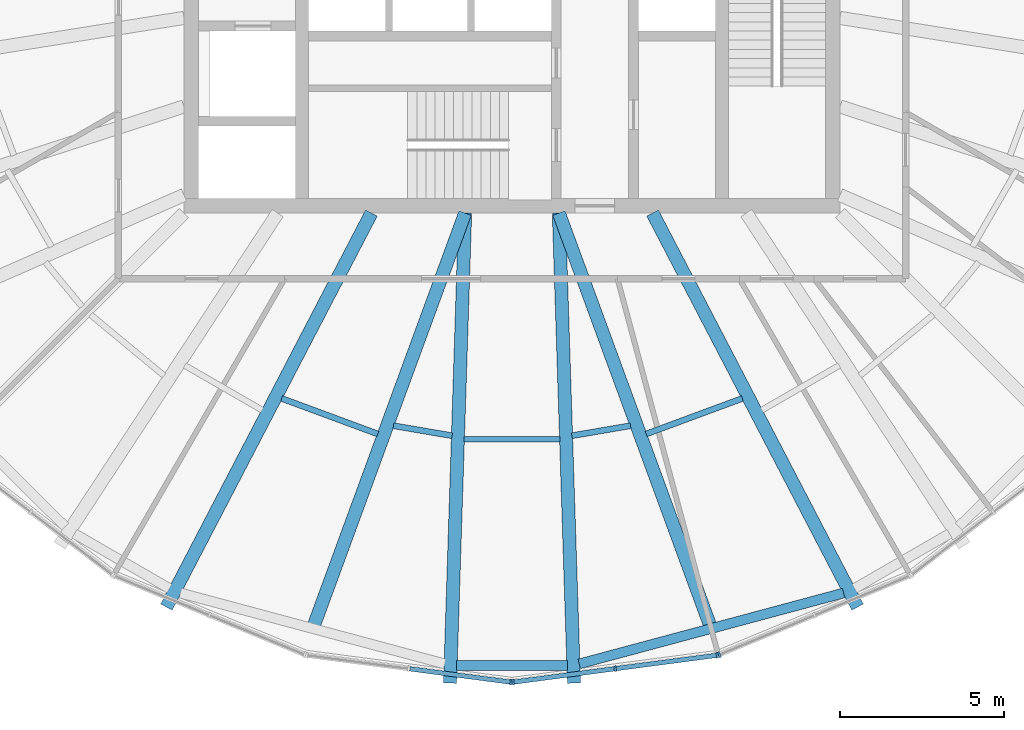
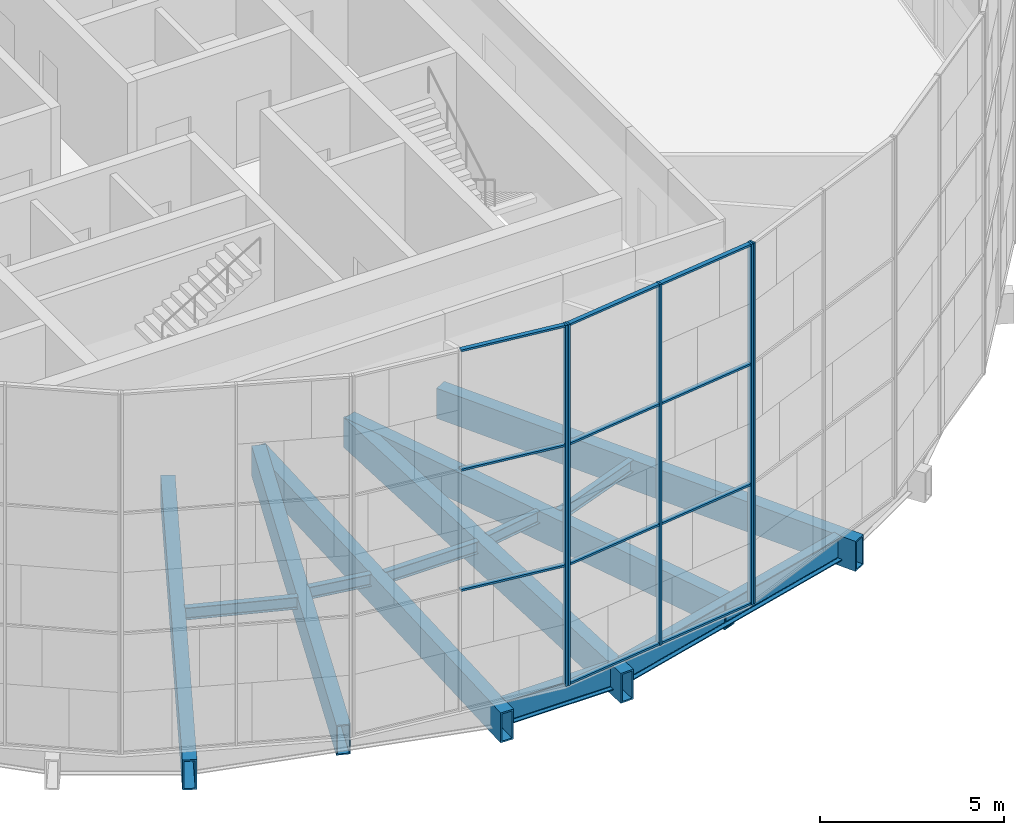
# One storey, part 2 of 22: 16 members, 13 beams, 3 elements without a shape of their own.
"""IFC4 building model written with IfcOpenShell, lengths in metres."""

from ifc_helpers import new_model, si_unit, direction, frame, origin, origin_2d, place, context, subcontext, project, spatial, rectangle, hollow_rectangle, i_section, extrude, material, material_profile, profile_set, type_object, element, aggregate, save


model = new_model("IFC4")

# Units and contexts
model_context = context("Model", 3, precision=1e-05, world=origin(), true_north=direction((0.0, 1.0)))
body_context = subcontext(model_context, "Body", "Model", "MODEL_VIEW")
ifc_project = project(units=[si_unit("LENGTHUNIT", "METRE"), si_unit("AREAUNIT", "SQUARE_METRE"), si_unit("VOLUMEUNIT", "CUBIC_METRE"), si_unit("PLANEANGLEUNIT", "RADIAN"), si_unit("MASSUNIT", "GRAM", prefix="KILO")], contexts=[model_context])

# Site, building, storey
site_placement = place(None, origin())
site = spatial("IfcSite", under=ifc_project, at=site_placement, CompositionType="ELEMENT")
building_placement = place(site_placement, origin())
building = spatial("IfcBuilding", under=site, at=building_placement, Name="Golbaran Civic Tower", CompositionType="ELEMENT")
storey_placement = place(building_placement, frame((0.0, 0.0, 155.0)))
storey = spatial("IfcBuildingStorey", under=building, at=storey_placement, Name="L37", CompositionType="ELEMENT", Elevation=155.0)

# Beams
ifc_material_1 = material(Name="Steel S355", Category="steel")
ifc_material_profile_1 = material_profile(ifc_material_1, i_section(OverallWidth=0.300048828125, OverallDepth=0.800048828125, WebThickness=0.017578125, FlangeThickness=0.032958984375, FilletRadius=0.030029296875, at=origin_2d()), Name="HEB 800")
ifc_profile_set_1 = profile_set([ifc_material_profile_1], Name="Steel S355")
beam_type_1 = type_object("IfcBeamType", Name="EDGE BEAM HEB 800", PredefinedType="BEAM", material=ifc_profile_set_1)
beam_1_placement = place(storey_placement, frame((-1.691162109375, -23.79052734375, -0.60009765625), z_axis=(1.0, 0.0, 0.0), x_axis=(0.0, 1.0, 0.0)))
element("IfcBeam", 1, at=beam_1_placement, inside=storey, type_object=beam_type_1, Name="Edge beam 265.62 L37", PredefinedType="BEAM", context=body_context, shape_type="SweptSolid", body=[
    extrude(i_section(OverallWidth=0.300048828125, OverallDepth=0.800048828125, WebThickness=0.017578125, FlangeThickness=0.032958984375, FilletRadius=0.030029296875, at=origin_2d()), origin(), (0.0, 0.0, 1.0), 3.38232421875),
])
beam_2_placement = place(storey_placement, frame((2.0498046875, -23.74267578125, -0.60009765625), z_axis=(0.965852660034, 0.259091951063, 0.0), x_axis=(-0.259091951063, 0.965852660034, 0.0)))
element("IfcBeam", 2, at=beam_2_placement, inside=storey, type_object=beam_type_1, Name="Edge beam 274.38 L37", PredefinedType="BEAM", context=body_context, shape_type="SweptSolid", body=[
    extrude(i_section(OverallWidth=0.300048828125, OverallDepth=0.800048828125, WebThickness=0.017578125, FlangeThickness=0.032958984375, FilletRadius=0.030029296875, at=origin_2d()), origin(), (0.0, 0.0, 1.0), 8.343994140625),
])
ifc_material_profile_2 = material_profile(ifc_material_1, i_section(OverallWidth=0.179931640625, OverallDepth=0.39990234375, WebThickness=0.008544921875, FlangeThickness=0.013427734375, FilletRadius=0.02099609375, at=origin_2d()), Name="IPE 400")
ifc_profile_set_2 = profile_set([ifc_material_profile_2], Name="Steel S355")
beam_type_2 = type_object("IfcBeamType", Name="FLOOR INFILL BEAM IPE 400", PredefinedType="BEAM", material=ifc_profile_set_2)
beam_3_placement = place(storey_placement, frame((-7.022216796875, -15.64892578125, -0.39990234375), z_axis=(0.937838207925, -0.347072752829, 0.0), x_axis=(0.347072752829, 0.937838207925, 0.0)))
element("IfcBeam", 3, at=beam_3_placement, inside=storey, type_object=beam_type_2, Name="Infill beam 249.69 L37", PredefinedType="BEAM", context=body_context, shape_type="SweptSolid", body=[
    extrude(i_section(OverallWidth=0.179931640625, OverallDepth=0.39990234375, WebThickness=0.008544921875, FlangeThickness=0.013427734375, FilletRadius=0.02099609375, at=origin_2d()), origin(), (0.0, 0.0, 1.0), 3.126708984375),
])
beam_4_placement = place(storey_placement, frame((-3.61376953125, -16.481689453125, -0.39990234375), z_axis=(0.985734791047, -0.168306035898, 0.0), x_axis=(0.168306035898, 0.985734791047, 0.0)))
element("IfcBeam", 4, at=beam_4_placement, inside=storey, type_object=beam_type_2, Name="Infill beam 260.31 L37", PredefinedType="BEAM", context=body_context, shape_type="SweptSolid", body=[
    extrude(i_section(OverallWidth=0.179931640625, OverallDepth=0.39990234375, WebThickness=0.008544921875, FlangeThickness=0.013427734375, FilletRadius=0.02099609375, at=origin_2d()), origin(), (0.0, 0.0, 1.0), 1.813232421875),
])
beam_5_placement = place(storey_placement, frame((-1.4697265625, -16.895263671875, -0.39990234375), z_axis=(1.0, 0.0, 0.0), x_axis=(0.0, 1.0, 0.0)))
element("IfcBeam", 5, at=beam_5_placement, inside=storey, type_object=beam_type_2, Name="Infill beam 270.00 L37", PredefinedType="BEAM", context=body_context, shape_type="SweptSolid", body=[
    extrude(i_section(OverallWidth=0.179931640625, OverallDepth=0.39990234375, WebThickness=0.008544921875, FlangeThickness=0.013427734375, FilletRadius=0.02099609375, at=origin_2d()), origin(), (0.0, 0.0, 1.0), 2.939453125),
])
beam_6_placement = place(storey_placement, frame((1.826416015625, -16.786865234375, -0.39990234375), z_axis=(0.985734791047, 0.168306035898, 0.0), x_axis=(-0.168306035898, 0.985734791047, 0.0)))
element("IfcBeam", 6, at=beam_6_placement, inside=storey, type_object=beam_type_2, Name="Infill beam 279.69 L37", PredefinedType="BEAM", context=body_context, shape_type="SweptSolid", body=[
    extrude(i_section(OverallWidth=0.179931640625, OverallDepth=0.39990234375, WebThickness=0.008544921875, FlangeThickness=0.013427734375, FilletRadius=0.02099609375, at=origin_2d()), origin(), (0.0, 0.0, 1.0), 1.813232421875),
])
beam_7_placement = place(storey_placement, frame((4.08984375, -16.734130859375, -0.39990234375), z_axis=(0.937838207925, 0.347072752829, 0.0), x_axis=(-0.347072752829, 0.937838207925, 0.0)))
element("IfcBeam", 7, at=beam_7_placement, inside=storey, type_object=beam_type_2, Name="Infill beam 290.31 L37", PredefinedType="BEAM", context=body_context, shape_type="SweptSolid", body=[
    extrude(i_section(OverallWidth=0.179931640625, OverallDepth=0.39990234375, WebThickness=0.008544921875, FlangeThickness=0.013427734375, FilletRadius=0.02099609375, at=origin_2d()), origin(), (0.0, 0.0, 1.0), 3.126708984375),
])

# Curtain wall, member
ifc_material_2 = material(Name="Aluminium and glass", Category="aluminium")
curtain_wall_type = type_object("IfcCurtainWallType", Name="INNER SKIN CURTAIN WALL", PredefinedType="NOTDEFINED", material=ifc_material_2)
curtain_wall_1_placement = place(storey_placement, origin())
curtain_wall_1 = element("IfcCurtainWall", 8, at=curtain_wall_1_placement, inside=storey, type_object=curtain_wall_type, Name="Inner skin L37 facet 18 CW1", ObjectType="INNER SKIN", PredefinedType="USERDEFINED")
ifc_material_3 = material(Name="Aluminium", Category="aluminium")
ifc_material_profile_3 = material_profile(ifc_material_3, rectangle(XDim=0.179931640625, YDim=0.06494140625, at=origin_2d()), Name="INNER SKIN CURTAIN WALL MULLION")
ifc_profile_set_3 = profile_set([ifc_material_profile_3], Name="Aluminium")
member_type_1 = type_object("IfcMemberType", Name="INNER SKIN CURTAIN WALL MULLION", PredefinedType="MULLION", material=ifc_profile_set_3)
member_1_placement = place(storey_placement, frame((-0.0322265625, -24.2978515625, 0.0), z_axis=(0.0, 0.0, 1.0), x_axis=(0.130526192289, 0.991444861365, 0.0)))
member_1 = element("IfcMember", 9, at=member_1_placement, type_object=member_type_1, Name="CW1 mullion 3", PredefinedType="MULLION", context=body_context, shape_type="SweptSolid", body=[
    extrude(rectangle(XDim=0.179931640625, YDim=0.06494140625, at=origin_2d()), origin(), (0.0, 0.0, 1.0), 12.0),
])

# Curtain wall, members
curtain_wall_2_placement = place(storey_placement, origin())
curtain_wall_2 = element("IfcCurtainWall", 10, at=curtain_wall_2_placement, inside=storey, type_object=curtain_wall_type, Name="Inner skin L37 facet 19 CW1", ObjectType="INNER SKIN", PredefinedType="USERDEFINED")
member_2_placement = place(storey_placement, frame((0.0322265625, -24.2978515625, 0.0), z_axis=(0.0, 0.0, 1.0), x_axis=(-0.130526192289, 0.991444861365, 0.0)))
member_2 = element("IfcMember", 11, at=member_2_placement, type_object=member_type_1, Name="CW1 mullion 1", PredefinedType="MULLION", context=body_context, shape_type="SweptSolid", body=[
    extrude(rectangle(XDim=0.179931640625, YDim=0.06494140625, at=origin_2d()), origin(), (0.0, 0.0, 1.0), 12.0),
])
member_3_placement = place(storey_placement, frame((3.14501953125, -23.887939453125, 0.0), z_axis=(0.0, 0.0, 1.0), x_axis=(-0.130526192289, 0.991444861365, 0.0)))
member_3 = element("IfcMember", 12, at=member_3_placement, type_object=member_type_1, Name="CW1 mullion 2", PredefinedType="MULLION", context=body_context, shape_type="SweptSolid", body=[
    extrude(rectangle(XDim=0.179931640625, YDim=0.06494140625, at=origin_2d()), origin(), (0.0, 0.0, 1.0), 12.0),
])
member_4_placement = place(storey_placement, frame((6.257568359375, -23.478271484375, 0.0), z_axis=(0.0, 0.0, 1.0), x_axis=(-0.130526192289, 0.991444861365, 0.0)))
member_4 = element("IfcMember", 13, at=member_4_placement, type_object=member_type_1, Name="CW1 mullion 3", PredefinedType="MULLION", context=body_context, shape_type="SweptSolid", body=[
    extrude(rectangle(XDim=0.179931640625, YDim=0.06494140625, at=origin_2d()), origin(), (0.0, 0.0, 1.0), 12.0),
])

# Curtain wall, member
curtain_wall_3_placement = place(storey_placement, origin())
curtain_wall_3 = element("IfcCurtainWall", 14, at=curtain_wall_3_placement, inside=storey, type_object=curtain_wall_type, Name="Inner skin L37 facet 20 CW1", ObjectType="INNER SKIN", PredefinedType="USERDEFINED")
member_5_placement = place(storey_placement, frame((6.31982421875, -23.46142578125, 0.0), z_axis=(0.0, 0.0, 1.0), x_axis=(-0.382683432268, 0.923879532551, 0.0)))
member_5 = element("IfcMember", 15, at=member_5_placement, type_object=member_type_1, Name="CW1 mullion 1", PredefinedType="MULLION", context=body_context, shape_type="SweptSolid", body=[
    extrude(rectangle(XDim=0.179931640625, YDim=0.06494140625, at=origin_2d()), origin(), (0.0, 0.0, 1.0), 12.0),
])
aggregate(curtain_wall_3, [member_5])

# Member
ifc_material_profile_4 = material_profile(ifc_material_3, rectangle(XDim=0.139892578125, YDim=0.06494140625, at=origin_2d()), Name="INNER SKIN CURTAIN WALL TRANSOM")
ifc_profile_set_4 = profile_set([ifc_material_profile_4], Name="Aluminium")
member_type_2 = type_object("IfcMemberType", Name="INNER SKIN CURTAIN WALL TRANSOM", PredefinedType="USERDEFINED", material=ifc_profile_set_4)
member_6_placement = place(storey_placement, frame((-3.11279296875, -23.89208984375, 4.0), z_axis=(0.991442940586, -0.130540781221, 0.0), x_axis=(0.130540781221, 0.991442940586, 0.0)))
member_6 = element("IfcMember", 16, at=member_6_placement, type_object=member_type_2, Name="CW1 transom 2.2", ObjectType="TRANSOM", PredefinedType="USERDEFINED", context=body_context, shape_type="SweptSolid", body=[
    extrude(rectangle(XDim=0.139892578125, YDim=0.06494140625, at=origin_2d()), origin(), (0.0, 0.0, 1.0), 3.07470703125),
])

member_7_placement = place(storey_placement, frame((-3.11279296875, -23.89208984375, 8.0), z_axis=(0.991442940586, -0.130540781221, 0.0), x_axis=(0.130540781221, 0.991442940586, 0.0)))
member_7 = element("IfcMember", 17, at=member_7_placement, type_object=member_type_2, Name="CW1 transom 2.3", ObjectType="TRANSOM", PredefinedType="USERDEFINED", context=body_context, shape_type="SweptSolid", body=[
    extrude(rectangle(XDim=0.139892578125, YDim=0.06494140625, at=origin_2d()), origin(), (0.0, 0.0, 1.0), 3.07470703125),
])

member_8_placement = place(storey_placement, frame((-3.11279296875, -23.89208984375, 11.967529296875), z_axis=(0.991442940586, -0.130540781221, 0.0), x_axis=(0.130540781221, 0.991442940586, 0.0)))
member_8 = element("IfcMember", 18, at=member_8_placement, type_object=member_type_2, Name="CW1 transom 2.4", ObjectType="TRANSOM", PredefinedType="USERDEFINED", context=body_context, shape_type="SweptSolid", body=[
    extrude(rectangle(XDim=0.139892578125, YDim=0.06494140625, at=origin_2d()), origin(), (0.0, 0.0, 1.0), 3.07470703125),
])

aggregate(curtain_wall_1, [member_1, member_6, member_7, member_8])

member_9_placement = place(storey_placement, frame((0.064453125, -24.29345703125, 0.032470703125), z_axis=(0.991442940586, 0.130540781221, 0.0), x_axis=(-0.130540781221, 0.991442940586, 0.0)))
member_9 = element("IfcMember", 19, at=member_9_placement, type_object=member_type_2, Name="CW1 transom 1.1", ObjectType="TRANSOM", PredefinedType="USERDEFINED", context=body_context, shape_type="SweptSolid", body=[
    extrude(rectangle(XDim=0.139892578125, YDim=0.06494140625, at=origin_2d()), origin(), (0.0, 0.0, 1.0), 3.07470703125),
])

member_10_placement = place(storey_placement, frame((0.064453125, -24.29345703125, 4.0), z_axis=(0.991442940586, 0.130540781221, 0.0), x_axis=(-0.130540781221, 0.991442940586, 0.0)))
member_10 = element("IfcMember", 20, at=member_10_placement, type_object=member_type_2, Name="CW1 transom 1.2", ObjectType="TRANSOM", PredefinedType="USERDEFINED", context=body_context, shape_type="SweptSolid", body=[
    extrude(rectangle(XDim=0.139892578125, YDim=0.06494140625, at=origin_2d()), origin(), (0.0, 0.0, 1.0), 3.07470703125),
])

member_11_placement = place(storey_placement, frame((0.064453125, -24.29345703125, 8.0), z_axis=(0.991442940586, 0.130540781221, 0.0), x_axis=(-0.130540781221, 0.991442940586, 0.0)))
member_11 = element("IfcMember", 21, at=member_11_placement, type_object=member_type_2, Name="CW1 transom 1.3", ObjectType="TRANSOM", PredefinedType="USERDEFINED", context=body_context, shape_type="SweptSolid", body=[
    extrude(rectangle(XDim=0.139892578125, YDim=0.06494140625, at=origin_2d()), origin(), (0.0, 0.0, 1.0), 3.07470703125),
])

member_12_placement = place(storey_placement, frame((0.064453125, -24.29345703125, 11.967529296875), z_axis=(0.991442940586, 0.130540781221, 0.0), x_axis=(-0.130540781221, 0.991442940586, 0.0)))
member_12 = element("IfcMember", 22, at=member_12_placement, type_object=member_type_2, Name="CW1 transom 1.4", ObjectType="TRANSOM", PredefinedType="USERDEFINED", context=body_context, shape_type="SweptSolid", body=[
    extrude(rectangle(XDim=0.139892578125, YDim=0.06494140625, at=origin_2d()), origin(), (0.0, 0.0, 1.0), 3.07470703125),
])

member_13_placement = place(storey_placement, frame((3.17724609375, -23.8837890625, 0.032470703125), z_axis=(0.991441587305, 0.130551058833, 0.0), x_axis=(-0.130551058833, 0.991441587305, 0.0)))
member_13 = element("IfcMember", 23, at=member_13_placement, type_object=member_type_2, Name="CW1 transom 2.1", ObjectType="TRANSOM", PredefinedType="USERDEFINED", context=body_context, shape_type="SweptSolid", body=[
    extrude(rectangle(XDim=0.139892578125, YDim=0.06494140625, at=origin_2d()), origin(), (0.0, 0.0, 1.0), 3.074462890625),
])

member_14_placement = place(storey_placement, frame((3.17724609375, -23.8837890625, 4.0), z_axis=(0.991441587305, 0.130551058833, 0.0), x_axis=(-0.130551058833, 0.991441587305, 0.0)))
member_14 = element("IfcMember", 24, at=member_14_placement, type_object=member_type_2, Name="CW1 transom 2.2", ObjectType="TRANSOM", PredefinedType="USERDEFINED", context=body_context, shape_type="SweptSolid", body=[
    extrude(rectangle(XDim=0.139892578125, YDim=0.06494140625, at=origin_2d()), origin(), (0.0, 0.0, 1.0), 3.074462890625),
])

member_15_placement = place(storey_placement, frame((3.17724609375, -23.8837890625, 8.0), z_axis=(0.991441587305, 0.130551058833, 0.0), x_axis=(-0.130551058833, 0.991441587305, 0.0)))
member_15 = element("IfcMember", 25, at=member_15_placement, type_object=member_type_2, Name="CW1 transom 2.3", ObjectType="TRANSOM", PredefinedType="USERDEFINED", context=body_context, shape_type="SweptSolid", body=[
    extrude(rectangle(XDim=0.139892578125, YDim=0.06494140625, at=origin_2d()), origin(), (0.0, 0.0, 1.0), 3.074462890625),
])

member_16_placement = place(storey_placement, frame((3.17724609375, -23.8837890625, 11.967529296875), z_axis=(0.991441587305, 0.130551058833, 0.0), x_axis=(-0.130551058833, 0.991441587305, 0.0)))
member_16 = element("IfcMember", 26, at=member_16_placement, type_object=member_type_2, Name="CW1 transom 2.4", ObjectType="TRANSOM", PredefinedType="USERDEFINED", context=body_context, shape_type="SweptSolid", body=[
    extrude(rectangle(XDim=0.139892578125, YDim=0.06494140625, at=origin_2d()), origin(), (0.0, 0.0, 1.0), 3.074462890625),
])

aggregate(curtain_wall_2, [member_2, member_3, member_4, member_9, member_10, member_11, member_12, member_13, member_14, member_15, member_16])

# Beams
ifc_material_profile_5 = material_profile(ifc_material_1, hollow_rectangle(XDim=0.39990234375, YDim=1.0, WallThickness=0.050048828125, at=origin_2d()), Name="BOX 1000x400x50")
ifc_profile_set_5 = profile_set([ifc_material_profile_5], Name="Steel S355")
beam_type_3 = type_object("IfcBeamType", Name="RADIAL FLOOR BEAM BOX 1000x400x50", PredefinedType="BEAM", material=ifc_profile_set_5)
beam_8_placement = place(storey_placement, frame((-4.28564453125, -10.0, -0.7099609375), z_axis=(-0.461588342678, -0.887094246348, 0.0), x_axis=(0.887094246348, -0.461588342678, 0.0)))
element("IfcBeam", 27, at=beam_8_placement, inside=storey, type_object=beam_type_3, Name="Radial beam 244.38 L37", PredefinedType="BEAM", context=body_context, shape_type="SweptSolid", body=[
    extrude(hollow_rectangle(XDim=0.39990234375, YDim=1.0, WallThickness=0.050048828125, at=origin_2d()), origin(), (0.0, 0.0, 1.0), 13.5390625),
])
for number, where, z_axis, x_axis, name in (
    (28, (-1.428466796875, -10.0, -0.7099609375), (-0.032085434582, -0.999485129898, 0.0), (0.999485129898, -0.032085434582, 0.0), "Radial beam 265.62 L37"),
    (29, (1.428466796875, -10.0, -0.7099609375), (0.032085434582, -0.999485129898, 0.0), (0.999485129898, 0.032085434582, 0.0), "Radial beam 274.38 L37"),
):
    element("IfcBeam", number, at=place(storey_placement, frame(where, z_axis=z_axis, x_axis=x_axis)), inside=storey, type_object=beam_type_3, Name=name, PredefinedType="BEAM", context=body_context, shape_type="SweptSolid", body=[
        extrude(hollow_rectangle(XDim=0.39990234375, YDim=1.0, WallThickness=0.050048828125, at=origin_2d()), origin(), (0.0, 0.0, 1.0), 14.33544921875),
    ])
beam_9_placement = place(storey_placement, frame((4.28564453125, -10.0, -0.7099609375), z_axis=(0.461588342678, -0.887094246348, 0.0), x_axis=(0.887094246348, 0.461588342678, 0.0)))
element("IfcBeam", 30, at=beam_9_placement, inside=storey, type_object=beam_type_3, Name="Radial beam 295.62 L37", PredefinedType="BEAM", context=body_context, shape_type="SweptSolid", body=[
    extrude(hollow_rectangle(XDim=0.39990234375, YDim=1.0, WallThickness=0.050048828125, at=origin_2d()), origin(), (0.0, 0.0, 1.0), 13.5390625),
])
ifc_material_profile_6 = material_profile(ifc_material_1, hollow_rectangle(XDim=0.39990234375, YDim=1.0, WallThickness=0.0400390625, at=origin_2d()), Name="BOX 1000x400x40")
ifc_profile_set_6 = profile_set([ifc_material_profile_6], Name="Steel S355")
beam_type_4 = type_object("IfcBeamType", Name="SECONDARY FLOOR BEAM BOX 1000x400x40", PredefinedType="BEAM", material=ifc_profile_set_6)
for number, where, z_axis, x_axis, name in (
    (31, (-1.428466796875, -10.0, -0.7099609375), (-0.34431846855, -0.938852912982, 0.0), (0.938852912982, -0.34431846855, 0.0), "Secondary beam 255.00 L37"),
    (32, (1.428466796875, -10.0, -0.7099609375), (0.34431846855, -0.938852912982, 0.0), (0.938852912982, 0.34431846855, 0.0), "Secondary beam 285.00 L37"),
):
    element("IfcBeam", number, at=place(storey_placement, frame(where, z_axis=z_axis, x_axis=x_axis)), inside=storey, type_object=beam_type_4, Name=name, PredefinedType="BEAM", context=body_context, shape_type="SweptSolid", body=[
        extrude(hollow_rectangle(XDim=0.39990234375, YDim=1.0, WallThickness=0.0400390625, at=origin_2d()), origin(), (0.0, 0.0, 1.0), 13.48828125),
    ])

save(model, "model.ifc")
